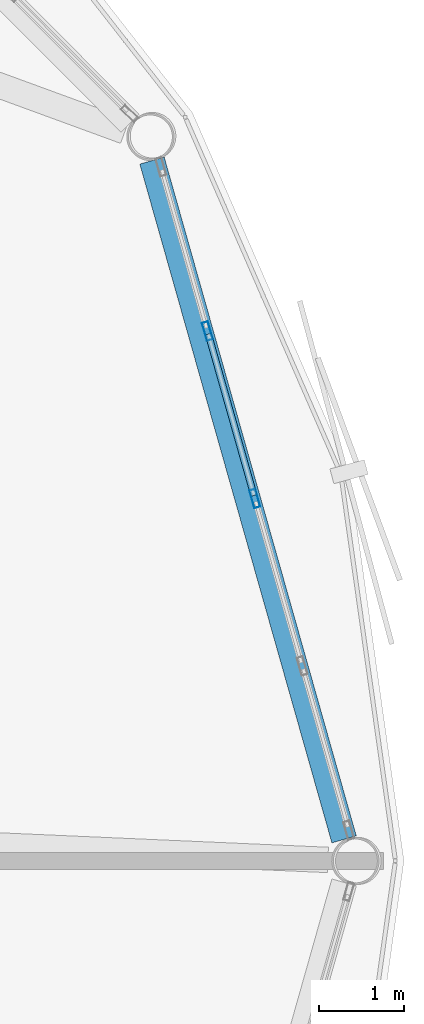
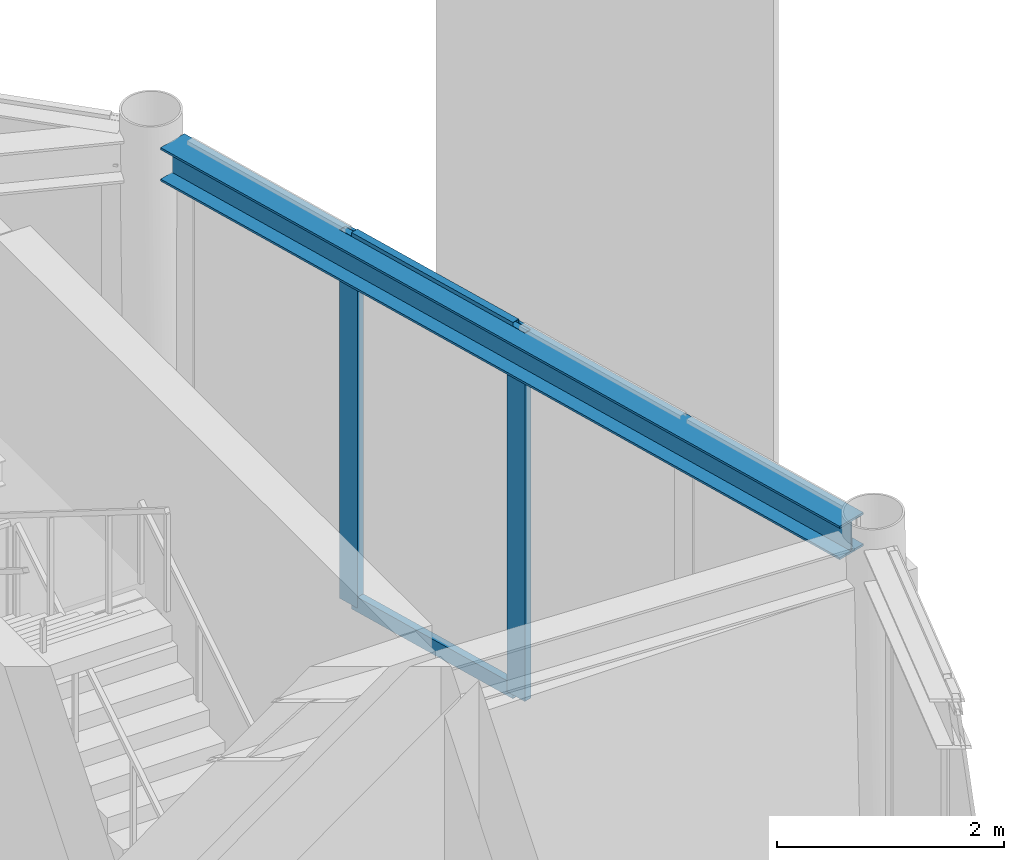
# One storey, part 6 of 13: 4 members, 1 beam, 1 element without a shape of its own.
"""IFC4 building model written with IfcOpenShell, lengths in metres."""

from ifc_helpers import new_model, si_unit, direction, frame, origin, origin_2d, place, context, subcontext, project, spatial, hollow_rectangle, i_section, extrude, material, layer, layer_set, material_profile, profile_set, type_object, element, aggregate, save


model = new_model("IFC4")

# Units and contexts
model_context = context("Model", 3, precision=1e-05, world=origin(), true_north=direction((0.0, 1.0)))
body_context = subcontext(model_context, "Body", "Model", "MODEL_VIEW")
ifc_project = project(units=[si_unit("LENGTHUNIT", "METRE"), si_unit("AREAUNIT", "SQUARE_METRE"), si_unit("VOLUMEUNIT", "CUBIC_METRE"), si_unit("PLANEANGLEUNIT", "RADIAN"), si_unit("MASSUNIT", "GRAM", prefix="KILO")], contexts=[model_context])

# Site, building, storey
site_placement = place(None, origin())
site = spatial("IfcSite", under=ifc_project, at=site_placement, CompositionType="ELEMENT")
building_placement = place(site_placement, origin())
building = spatial("IfcBuilding", under=site, at=building_placement, Name="Varnakorn Sky Granary", CompositionType="ELEMENT")
storey_placement = place(building_placement, frame((0.0, 0.0, 315.0)))
storey = spatial("IfcBuildingStorey", under=building, at=storey_placement, Name="L80", CompositionType="ELEMENT", Elevation=315.0)

# Beam
ifc_material_1 = material(Name="Steel S355JR", Category="steel")
ifc_material_profile_1 = material_profile(ifc_material_1, i_section(OverallWidth=0.300048828125, OverallDepth=0.360107421875, WebThickness=0.012451171875, FlangeThickness=0.0224609375, at=origin_2d()), Name="HE 360 B")
ifc_profile_set_1 = profile_set([ifc_material_profile_1], Name="Steel S355JR")
beam_type = type_object("IfcBeamType", Name="BM-SPD-Z5", PredefinedType="SPANDREL", material=ifc_profile_set_1)
beam_placement = place(storey_placement, frame((21.927978515625, 0.25439453125, 3.780029296875), z_axis=(-0.272284107146, 0.962216901221, 0.0), x_axis=(-0.962216901221, -0.272284107146, 0.0)))
element("IfcBeam", 1, at=beam_placement, inside=storey, type_object=beam_type, Name="Perimeter Spandrel Ring Beam RB01 L80", PredefinedType="SPANDREL", context=body_context, shape_type="SweptSolid", body=[
    extrude(i_section(OverallWidth=0.300048828125, OverallDepth=0.360107421875, WebThickness=0.012451171875, FlangeThickness=0.0224609375, at=origin_2d()), origin(), (0.0, 0.0, 1.0), 8.3388671875),
])

# Curtain wall, members
ifc_material_2 = material(Name="Anodised Bronze Aluminium Alloy 6063-T6", Category="aluminium")
ifc_layer = layer(ifc_material_2, 0.22998046875, Name="Anodised Bronze Aluminium Alloy 6063-T6")
ifc_layer_set = layer_set([ifc_layer], Name="Anodised Bronze Aluminium Alloy 6063-T6")
curtain_wall_type = type_object("IfcCurtainWallType", Name="CW-LNT-1", PredefinedType="USERDEFINED", material=ifc_layer_set)
curtain_wall_placement = place(storey_placement, origin())
curtain_wall = element("IfcCurtainWall", 2, at=curtain_wall_placement, inside=storey, type_object=curtain_wall_type, Name="Unitised Curtain Wall CW7 CW-L80-B01", ObjectType="CURTAIN WALL", PredefinedType="USERDEFINED")
ifc_material_profile_2 = material_profile(ifc_material_2, hollow_rectangle(XDim=0.074951171875, YDim=0.219970703125, WallThickness=0.00390625, at=origin_2d()), Name="ALU MULL 75x220")
ifc_profile_set_2 = profile_set([ifc_material_profile_2], Name="Anodised Bronze Aluminium Alloy 6063-T6")
member_type_1 = type_object("IfcMemberType", Name="CW-LNT-1-MULL", PredefinedType="MULLION", material=ifc_profile_set_2)
member_1_placement = place(storey_placement, frame((20.312744140625, 6.2626953125, 0.0), z_axis=(0.0, 0.0, 1.0), x_axis=(0.962170396293, 0.272448396027, 0.0)))
member_1 = element("IfcMember", 3, at=member_1_placement, type_object=member_type_1, Name="CW7 mullion 2", PredefinedType="MULLION", context=body_context, shape_type="SweptSolid", body=[
    extrude(hollow_rectangle(XDim=0.074951171875, YDim=0.219970703125, WallThickness=0.00390625, at=origin_2d()), origin(), (0.0, 0.0, 1.0), 3.9599609375),
])
member_2_placement = place(storey_placement, frame((20.873046875, 4.283935546875, 0.0), z_axis=(0.0, 0.0, 1.0), x_axis=(0.962170396293, 0.272448396027, 0.0)))
member_2 = element("IfcMember", 4, at=member_2_placement, type_object=member_type_1, Name="CW7 mullion 3", PredefinedType="MULLION", context=body_context, shape_type="SweptSolid", body=[
    extrude(hollow_rectangle(XDim=0.074951171875, YDim=0.219970703125, WallThickness=0.00390625, at=origin_2d()), origin(), (0.0, 0.0, 1.0), 3.9599609375),
])
ifc_material_profile_3 = material_profile(ifc_material_2, hollow_rectangle(XDim=0.074951171875, YDim=0.159912109375, WallThickness=0.00390625, at=origin_2d()), Name="ALU TRAN 75x160")
ifc_profile_set_3 = profile_set([ifc_material_profile_3], Name="Anodised Bronze Aluminium Alloy 6063-T6")
member_type_2 = type_object("IfcMemberType", Name="CW-LNT-1-TRAN", PredefinedType="USERDEFINED", material=ifc_profile_set_3)
member_3_placement = place(storey_placement, frame((20.322998046875, 6.2265625, 0.03759765625), z_axis=(0.272425778661, -0.962176800344, 0.0), x_axis=(0.962176800344, 0.272425778661, 0.0)))
member_3 = element("IfcMember", 5, at=member_3_placement, type_object=member_type_2, Name="CW7 transom 2.1", ObjectType="TRANSOM", PredefinedType="USERDEFINED", context=body_context, shape_type="SweptSolid", body=[
    extrude(hollow_rectangle(XDim=0.074951171875, YDim=0.159912109375, WallThickness=0.00390625, at=origin_2d()), origin(), (0.0, 0.0, 1.0), 1.9814453125),
])
member_4_placement = place(storey_placement, frame((20.322998046875, 6.2265625, 3.922607421875), z_axis=(0.272425778661, -0.962176800344, 0.0), x_axis=(0.962176800344, 0.272425778661, 0.0)))
member_4 = element("IfcMember", 6, at=member_4_placement, type_object=member_type_2, Name="CW7 transom 2.2", ObjectType="TRANSOM", PredefinedType="USERDEFINED", context=body_context, shape_type="SweptSolid", body=[
    extrude(hollow_rectangle(XDim=0.074951171875, YDim=0.159912109375, WallThickness=0.00390625, at=origin_2d()), origin(), (0.0, 0.0, 1.0), 1.9814453125),
])
aggregate(curtain_wall, [member_1, member_2, member_3, member_4])

save(model, "model.ifc")
